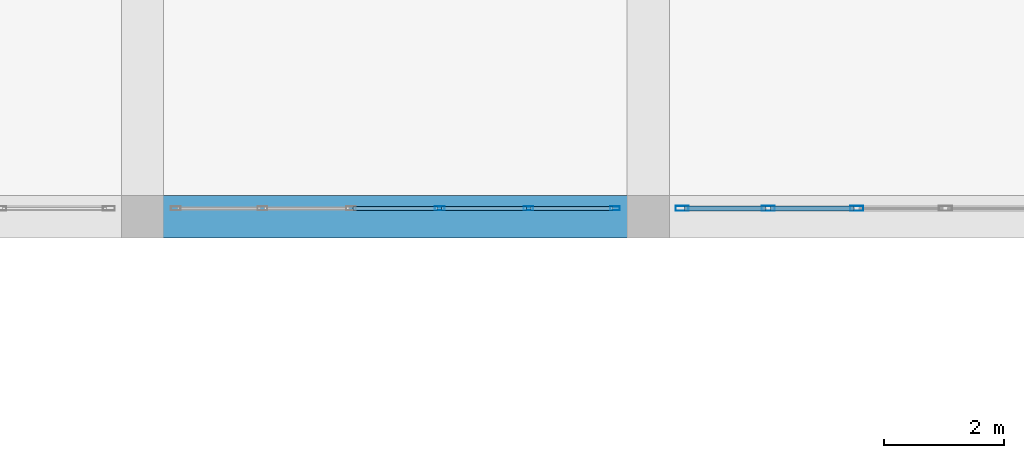
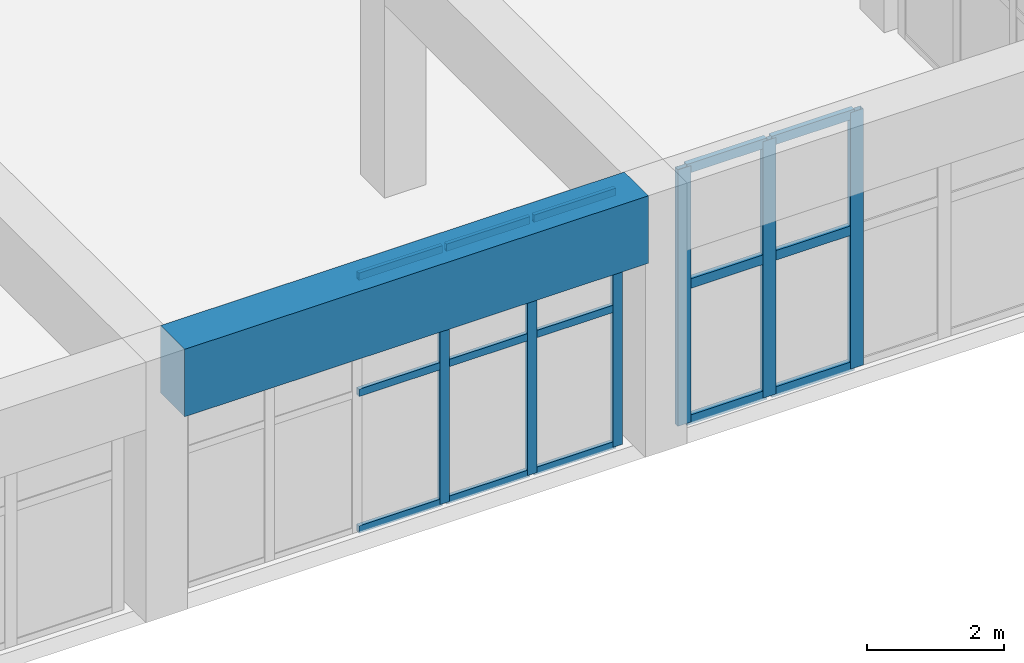
# One storey, part 19 of 72: 21 members, 1 beam, 2 elements without a shape of their own.
"""IFC4 building model written with IfcOpenShell, lengths in metres."""

from ifc_helpers import new_model, si_unit, direction, frame, origin, origin_2d, place, context, subcontext, project, spatial, rectangle, hollow_rectangle, extrude, material, layer, layer_set, material_profile, profile_set, type_object, element, aggregate, save


model = new_model("IFC4")

# Units and contexts
model_context = context("Model", 3, precision=1e-05, world=origin(), true_north=direction((0.0, 1.0)))
body_context = subcontext(model_context, "Body", "Model", "MODEL_VIEW")
ifc_project = project(units=[si_unit("LENGTHUNIT", "METRE"), si_unit("AREAUNIT", "SQUARE_METRE"), si_unit("VOLUMEUNIT", "CUBIC_METRE"), si_unit("PLANEANGLEUNIT", "RADIAN"), si_unit("MASSUNIT", "GRAM", prefix="KILO")], contexts=[model_context])

# Site, building, storey
site_placement = place(None, origin())
site = spatial("IfcSite", under=ifc_project, at=site_placement, CompositionType="ELEMENT")
building_placement = place(site_placement, origin())
building = spatial("IfcBuilding", under=site, at=building_placement, Name="Xicomal Pleat Aquarium", CompositionType="ELEMENT")
storey_placement = place(building_placement, frame((0.0, 0.0, 10.5)))
storey = spatial("IfcBuildingStorey", under=building, at=storey_placement, Name="L03", CompositionType="ELEMENT", Elevation=10.5)

# Beam
ifc_material_1 = material(Name="Concrete C45/55", Category="concrete")
ifc_material_profile_1 = material_profile(ifc_material_1, rectangle(XDim=0.699951171875, YDim=1.199951171875, at=origin_2d()), Name="RC 700x1200")
ifc_profile_set_1 = profile_set([ifc_material_profile_1], Name="Concrete C45/55")
beam_type = type_object("IfcBeamType", Name="BM-RC-700x1200", PredefinedType="SPANDREL", material=ifc_profile_set_1)
beam_placement = place(storey_placement, frame((77.699951171875, 30.39990234375, 4.034912109375), z_axis=(1.0, 0.0, 0.0), x_axis=(0.0, 1.0, 0.0)))
element("IfcBeam", 1, at=beam_placement, inside=storey, type_object=beam_type, Name="Ocean hall shell edge girder 10-11/E", PredefinedType="SPANDREL", context=body_context, shape_type="SweptSolid", body=[
    extrude(rectangle(XDim=0.699951171875, YDim=1.199951171875, at=origin_2d()), origin(), (0.0, 0.0, 1.0), 7.800048828125),
])

# Curtain wall, members
ifc_material_2 = material(Name="Bronze anodized aluminium 6063-T6", Category="aluminium")
ifc_layer = layer(ifc_material_2, 0.159912109375)
ifc_layer_set = layer_set([ifc_layer], Name="Bronze anodized aluminium 6063-T6")
curtain_wall_type = type_object("IfcCurtainWallType", Name="CW-SYS-03", PredefinedType="NOTDEFINED", material=ifc_layer_set)
curtain_wall_1_placement = place(storey_placement, origin())
curtain_wall_1 = element("IfcCurtainWall", 2, at=curtain_wall_1_placement, inside=storey, type_object=curtain_wall_type, Name="L03 unitised curtain wall CW-L03-165", PredefinedType="NOTDEFINED")
ifc_material_3 = material(Name="Bronze anodized aluminium 6063-T6", Category="aluminium")
ifc_material_profile_2 = material_profile(ifc_material_3, hollow_rectangle(XDim=0.06494140625, YDim=0.159912109375, WallThickness=0.00390625, at=origin_2d()), Name="ALU MULL 65x160")
ifc_profile_set_2 = profile_set([ifc_material_profile_2], Name="Bronze anodized aluminium 6063-T6")
member_type_1 = type_object("IfcMemberType", Name="CWM-65x160", PredefinedType="MULLION", material=ifc_profile_set_2)
member_1_placement = place(storey_placement, frame((85.24755859375, 30.5400390625, 0.0), z_axis=(0.0, 0.0, 1.0), x_axis=(0.0, -1.0, 0.0)))
member_1 = element("IfcMember", 3, at=member_1_placement, type_object=member_type_1, Name="CW-03 mullion 1", PredefinedType="MULLION", context=body_context, shape_type="SweptSolid", body=[
    extrude(hollow_rectangle(XDim=0.06494140625, YDim=0.159912109375, WallThickness=0.00390625, at=origin_2d()), origin(), (0.0, 0.0, 1.0), 4.56005859375),
])
member_2_placement = place(storey_placement, frame((83.80810546875, 30.5400390625, 0.0), z_axis=(0.0, 0.0, 1.0), x_axis=(0.0, -1.0, 0.0)))
member_2 = element("IfcMember", 4, at=member_2_placement, type_object=member_type_1, Name="CW-03 mullion 2", PredefinedType="MULLION", context=body_context, shape_type="SweptSolid", body=[
    extrude(hollow_rectangle(XDim=0.06494140625, YDim=0.159912109375, WallThickness=0.00390625, at=origin_2d()), origin(), (0.0, 0.0, 1.0), 4.56005859375),
])
member_3_placement = place(storey_placement, frame((82.3359375, 30.5400390625, 0.0), z_axis=(0.0, 0.0, 1.0), x_axis=(0.0, -1.0, 0.0)))
member_3 = element("IfcMember", 5, at=member_3_placement, type_object=member_type_1, Name="CW-03 mullion 3", PredefinedType="MULLION", context=body_context, shape_type="SweptSolid", body=[
    extrude(hollow_rectangle(XDim=0.06494140625, YDim=0.159912109375, WallThickness=0.00390625, at=origin_2d()), origin(), (0.0, 0.0, 1.0), 4.56005859375),
])

curtain_wall_2_placement = place(storey_placement, origin())
curtain_wall_2 = element("IfcCurtainWall", 6, at=curtain_wall_2_placement, inside=storey, type_object=curtain_wall_type, Name="L03 unitised curtain wall CW-L03-164", PredefinedType="NOTDEFINED")
ifc_material_4 = material(Name="Bronze anodized aluminium 6063-T6", Category="aluminium")
ifc_material_profile_3 = material_profile(ifc_material_4, hollow_rectangle(XDim=0.0849609375, YDim=0.219970703125, WallThickness=0.0048828125, at=origin_2d()), Name="ALU MULL 85x220")
ifc_profile_set_3 = profile_set([ifc_material_profile_3], Name="Bronze anodized aluminium 6063-T6")
member_type_2 = type_object("IfcMemberType", Name="CWM-85x220", PredefinedType="MULLION", material=ifc_profile_set_3)
member_4_placement = place(storey_placement, frame((89.263916015625, 30.5400390625, 0.0), z_axis=(0.0, 0.0, 1.0), x_axis=(0.0, -1.0, 0.0)))
member_4 = element("IfcMember", 7, at=member_4_placement, type_object=member_type_2, Name="CW-03 mullion 4", PredefinedType="MULLION", context=body_context, shape_type="SweptSolid", body=[
    extrude(hollow_rectangle(XDim=0.0849609375, YDim=0.219970703125, WallThickness=0.0048828125, at=origin_2d()), origin(), (0.0, 0.0, 1.0), 4.56005859375),
])
member_5_placement = place(storey_placement, frame((87.7919921875, 30.5400390625, 0.0), z_axis=(0.0, 0.0, 1.0), x_axis=(0.0, -1.0, 0.0)))
member_5 = element("IfcMember", 8, at=member_5_placement, type_object=member_type_2, Name="CW-03 mullion 5", PredefinedType="MULLION", context=body_context, shape_type="SweptSolid", body=[
    extrude(hollow_rectangle(XDim=0.0849609375, YDim=0.219970703125, WallThickness=0.0048828125, at=origin_2d()), origin(), (0.0, 0.0, 1.0), 4.56005859375),
])
member_6_placement = place(storey_placement, frame((86.362548828125, 30.5400390625, 0.0), z_axis=(0.0, 0.0, 1.0), x_axis=(0.0, -1.0, 0.0)))
member_6 = element("IfcMember", 9, at=member_6_placement, type_object=member_type_2, Name="CW-03 mullion 6", PredefinedType="MULLION", context=body_context, shape_type="SweptSolid", body=[
    extrude(hollow_rectangle(XDim=0.0849609375, YDim=0.219970703125, WallThickness=0.0048828125, at=origin_2d()), origin(), (0.0, 0.0, 1.0), 4.56005859375),
])

# Member
ifc_material_5 = material(Name="Bronze anodized aluminium 6063-T6", Category="aluminium")
ifc_material_profile_4 = material_profile(ifc_material_5, hollow_rectangle(XDim=0.06494140625, YDim=0.1298828125, WallThickness=0.00390625, at=origin_2d()), Name="ALU TRAN 65x130")
ifc_profile_set_4 = profile_set([ifc_material_profile_4], Name="Bronze anodized aluminium 6063-T6")
member_type_3 = type_object("IfcMemberType", Name="CWT-65x130", PredefinedType="USERDEFINED", material=ifc_profile_set_4)
member_7_placement = place(storey_placement, frame((85.215087890625, 30.5400390625, 0.032470703125), z_axis=(-1.0, 0.0, 0.0), x_axis=(0.0, -1.0, 0.0)))
member_7 = element("IfcMember", 10, at=member_7_placement, type_object=member_type_3, Name="CW-03 transom 1.1", ObjectType="TRANSOM", PredefinedType="USERDEFINED", context=body_context, shape_type="SweptSolid", body=[
    extrude(hollow_rectangle(XDim=0.06494140625, YDim=0.1298828125, WallThickness=0.00390625, at=origin_2d()), origin(), (0.0, 0.0, 1.0), 1.37451171875),
])

member_8_placement = place(storey_placement, frame((85.215087890625, 30.5400390625, 2.4619140625), z_axis=(-1.0, 0.0, 0.0), x_axis=(0.0, -1.0, 0.0)))
member_8 = element("IfcMember", 11, at=member_8_placement, type_object=member_type_3, Name="CW-03 transom 1.2", ObjectType="TRANSOM", PredefinedType="USERDEFINED", context=body_context, shape_type="SweptSolid", body=[
    extrude(hollow_rectangle(XDim=0.06494140625, YDim=0.1298828125, WallThickness=0.00390625, at=origin_2d()), origin(), (0.0, 0.0, 1.0), 1.37451171875),
])

member_9_placement = place(storey_placement, frame((85.215087890625, 30.5400390625, 4.527587890625), z_axis=(-1.0, 0.0, 0.0), x_axis=(0.0, -1.0, 0.0)))
member_9 = element("IfcMember", 12, at=member_9_placement, type_object=member_type_3, Name="CW-03 transom 1.3", ObjectType="TRANSOM", PredefinedType="USERDEFINED", context=body_context, shape_type="SweptSolid", body=[
    extrude(hollow_rectangle(XDim=0.06494140625, YDim=0.1298828125, WallThickness=0.00390625, at=origin_2d()), origin(), (0.0, 0.0, 1.0), 1.37451171875),
])

member_10_placement = place(storey_placement, frame((83.775390625, 30.5400390625, 0.032470703125), z_axis=(-1.0, 0.0, 0.0), x_axis=(0.0, -1.0, 0.0)))
member_10 = element("IfcMember", 13, at=member_10_placement, type_object=member_type_3, Name="CW-03 transom 2.1", ObjectType="TRANSOM", PredefinedType="USERDEFINED", context=body_context, shape_type="SweptSolid", body=[
    extrude(hollow_rectangle(XDim=0.06494140625, YDim=0.1298828125, WallThickness=0.00390625, at=origin_2d()), origin(), (0.0, 0.0, 1.0), 1.406982421875),
])

member_11_placement = place(storey_placement, frame((83.775390625, 30.5400390625, 2.4619140625), z_axis=(-1.0, 0.0, 0.0), x_axis=(0.0, -1.0, 0.0)))
member_11 = element("IfcMember", 14, at=member_11_placement, type_object=member_type_3, Name="CW-03 transom 2.2", ObjectType="TRANSOM", PredefinedType="USERDEFINED", context=body_context, shape_type="SweptSolid", body=[
    extrude(hollow_rectangle(XDim=0.06494140625, YDim=0.1298828125, WallThickness=0.00390625, at=origin_2d()), origin(), (0.0, 0.0, 1.0), 1.406982421875),
])

member_12_placement = place(storey_placement, frame((83.775390625, 30.5400390625, 4.527587890625), z_axis=(-1.0, 0.0, 0.0), x_axis=(0.0, -1.0, 0.0)))
member_12 = element("IfcMember", 15, at=member_12_placement, type_object=member_type_3, Name="CW-03 transom 2.3", ObjectType="TRANSOM", PredefinedType="USERDEFINED", context=body_context, shape_type="SweptSolid", body=[
    extrude(hollow_rectangle(XDim=0.06494140625, YDim=0.1298828125, WallThickness=0.00390625, at=origin_2d()), origin(), (0.0, 0.0, 1.0), 1.406982421875),
])

member_13_placement = place(storey_placement, frame((82.303466796875, 30.5400390625, 0.032470703125), z_axis=(-1.0, 0.0, 0.0), x_axis=(0.0, -1.0, 0.0)))
member_13 = element("IfcMember", 16, at=member_13_placement, type_object=member_type_3, Name="CW-03 transom 3.1", ObjectType="TRANSOM", PredefinedType="USERDEFINED", context=body_context, shape_type="SweptSolid", body=[
    extrude(hollow_rectangle(XDim=0.06494140625, YDim=0.1298828125, WallThickness=0.00390625, at=origin_2d()), origin(), (0.0, 0.0, 1.0), 1.406982421875),
])

member_14_placement = place(storey_placement, frame((82.303466796875, 30.5400390625, 2.4619140625), z_axis=(-1.0, 0.0, 0.0), x_axis=(0.0, -1.0, 0.0)))
member_14 = element("IfcMember", 17, at=member_14_placement, type_object=member_type_3, Name="CW-03 transom 3.2", ObjectType="TRANSOM", PredefinedType="USERDEFINED", context=body_context, shape_type="SweptSolid", body=[
    extrude(hollow_rectangle(XDim=0.06494140625, YDim=0.1298828125, WallThickness=0.00390625, at=origin_2d()), origin(), (0.0, 0.0, 1.0), 1.406982421875),
])

member_15_placement = place(storey_placement, frame((82.303466796875, 30.5400390625, 4.527587890625), z_axis=(-1.0, 0.0, 0.0), x_axis=(0.0, -1.0, 0.0)))
member_15 = element("IfcMember", 18, at=member_15_placement, type_object=member_type_3, Name="CW-03 transom 3.3", ObjectType="TRANSOM", PredefinedType="USERDEFINED", context=body_context, shape_type="SweptSolid", body=[
    extrude(hollow_rectangle(XDim=0.06494140625, YDim=0.1298828125, WallThickness=0.00390625, at=origin_2d()), origin(), (0.0, 0.0, 1.0), 1.406982421875),
])

aggregate(curtain_wall_1, [member_1, member_2, member_3, member_7, member_8, member_9, member_10, member_11, member_12, member_13, member_14, member_15])

ifc_material_6 = material(Name="Bronze anodized aluminium 6063-T6", Category="aluminium")
ifc_material_profile_5 = material_profile(ifc_material_6, hollow_rectangle(XDim=0.0849609375, YDim=0.169921875, WallThickness=0.0048828125, at=origin_2d()), Name="ALU TRAN 85x170")
ifc_profile_set_5 = profile_set([ifc_material_profile_5], Name="Bronze anodized aluminium 6063-T6")
member_type_4 = type_object("IfcMemberType", Name="CWT-85x170", PredefinedType="USERDEFINED", material=ifc_profile_set_5)
member_16_placement = place(storey_placement, frame((89.221435546875, 30.5400390625, 0.04248046875), z_axis=(-1.0, 0.0, 0.0), x_axis=(0.0, -1.0, 0.0)))
member_16 = element("IfcMember", 19, at=member_16_placement, type_object=member_type_4, Name="CW-03 transom 4.1", ObjectType="TRANSOM", PredefinedType="USERDEFINED", context=body_context, shape_type="SweptSolid", body=[
    extrude(hollow_rectangle(XDim=0.0849609375, YDim=0.169921875, WallThickness=0.0048828125, at=origin_2d()), origin(), (0.0, 0.0, 1.0), 1.386962890625),
])

member_17_placement = place(storey_placement, frame((89.221435546875, 30.5400390625, 2.4619140625), z_axis=(-1.0, 0.0, 0.0), x_axis=(0.0, -1.0, 0.0)))
member_17 = element("IfcMember", 20, at=member_17_placement, type_object=member_type_4, Name="CW-03 transom 4.2", ObjectType="TRANSOM", PredefinedType="USERDEFINED", context=body_context, shape_type="SweptSolid", body=[
    extrude(hollow_rectangle(XDim=0.0849609375, YDim=0.169921875, WallThickness=0.0048828125, at=origin_2d()), origin(), (0.0, 0.0, 1.0), 1.386962890625),
])

member_18_placement = place(storey_placement, frame((89.221435546875, 30.5400390625, 4.517578125), z_axis=(-1.0, 0.0, 0.0), x_axis=(0.0, -1.0, 0.0)))
member_18 = element("IfcMember", 21, at=member_18_placement, type_object=member_type_4, Name="CW-03 transom 4.3", ObjectType="TRANSOM", PredefinedType="USERDEFINED", context=body_context, shape_type="SweptSolid", body=[
    extrude(hollow_rectangle(XDim=0.0849609375, YDim=0.169921875, WallThickness=0.0048828125, at=origin_2d()), origin(), (0.0, 0.0, 1.0), 1.386962890625),
])

member_19_placement = place(storey_placement, frame((87.74951171875, 30.5400390625, 0.04248046875), z_axis=(-1.0, 0.0, 0.0), x_axis=(0.0, -1.0, 0.0)))
member_19 = element("IfcMember", 22, at=member_19_placement, type_object=member_type_4, Name="CW-03 transom 5.1", ObjectType="TRANSOM", PredefinedType="USERDEFINED", context=body_context, shape_type="SweptSolid", body=[
    extrude(hollow_rectangle(XDim=0.0849609375, YDim=0.169921875, WallThickness=0.0048828125, at=origin_2d()), origin(), (0.0, 0.0, 1.0), 1.344482421875),
])

member_20_placement = place(storey_placement, frame((87.74951171875, 30.5400390625, 2.4619140625), z_axis=(-1.0, 0.0, 0.0), x_axis=(0.0, -1.0, 0.0)))
member_20 = element("IfcMember", 23, at=member_20_placement, type_object=member_type_4, Name="CW-03 transom 5.2", ObjectType="TRANSOM", PredefinedType="USERDEFINED", context=body_context, shape_type="SweptSolid", body=[
    extrude(hollow_rectangle(XDim=0.0849609375, YDim=0.169921875, WallThickness=0.0048828125, at=origin_2d()), origin(), (0.0, 0.0, 1.0), 1.344482421875),
])

member_21_placement = place(storey_placement, frame((87.74951171875, 30.5400390625, 4.517578125), z_axis=(-1.0, 0.0, 0.0), x_axis=(0.0, -1.0, 0.0)))
member_21 = element("IfcMember", 24, at=member_21_placement, type_object=member_type_4, Name="CW-03 transom 5.3", ObjectType="TRANSOM", PredefinedType="USERDEFINED", context=body_context, shape_type="SweptSolid", body=[
    extrude(hollow_rectangle(XDim=0.0849609375, YDim=0.169921875, WallThickness=0.0048828125, at=origin_2d()), origin(), (0.0, 0.0, 1.0), 1.344482421875),
])

aggregate(curtain_wall_2, [member_4, member_5, member_6, member_16, member_17, member_18, member_19, member_20, member_21])

save(model, "model.ifc")
